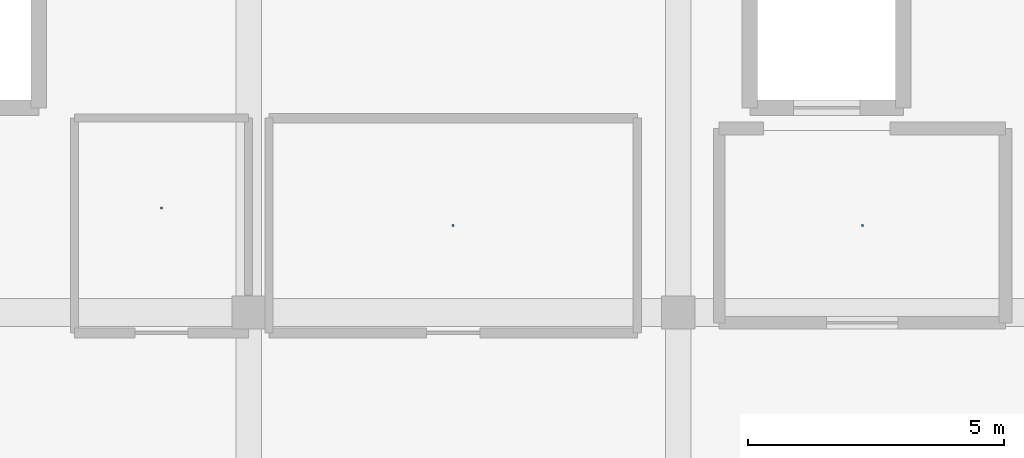
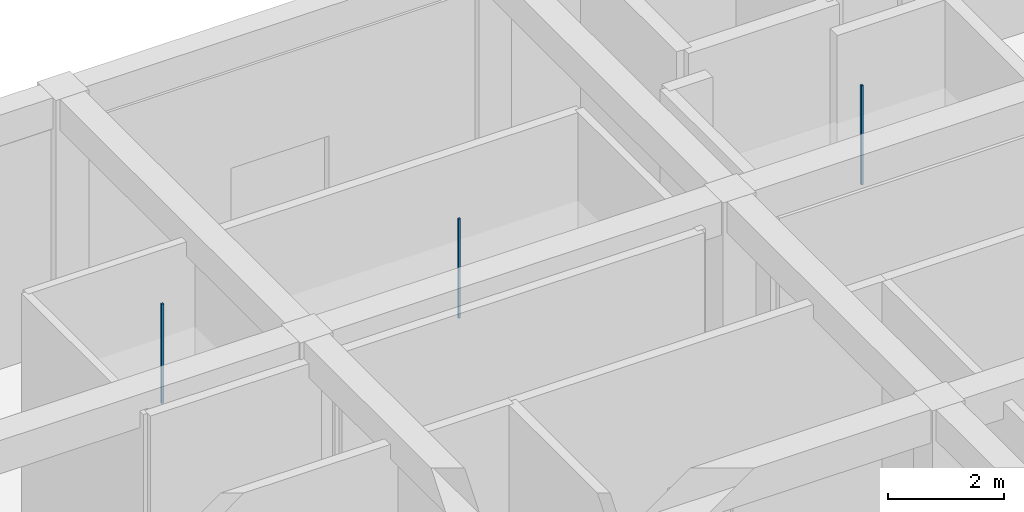
# One storey, part 118 of 157: 3 discrete accessories.
"""IFC4 building model written with IfcOpenShell, lengths in metres."""

from ifc_helpers import new_model, si_unit, direction, frame, origin, origin_2d, place, context, subcontext, project, spatial, rectangle, extrude, material, type_object, element, save


model = new_model("IFC4")

# Units and contexts
model_context = context("Model", 3, precision=1e-05, world=origin(), true_north=direction((0.0, 1.0)))
body_context = subcontext(model_context, "Body", "Model", "MODEL_VIEW")
ifc_project = project(units=[si_unit("LENGTHUNIT", "METRE"), si_unit("AREAUNIT", "SQUARE_METRE"), si_unit("VOLUMEUNIT", "CUBIC_METRE"), si_unit("PLANEANGLEUNIT", "RADIAN"), si_unit("MASSUNIT", "GRAM", prefix="KILO")], contexts=[model_context])

# Site, building, storey
site_placement = place(None, origin())
site = spatial("IfcSite", under=ifc_project, at=site_placement, CompositionType="ELEMENT")
building_placement = place(site_placement, origin())
building = spatial("IfcBuilding", under=site, at=building_placement, Name="Varncliffe General Hospital", CompositionType="ELEMENT")
storey_placement = place(building_placement, frame((0.0, 0.0, 5.39990234375)))
storey = spatial("IfcBuildingStorey", under=building, at=storey_placement, Name="L01", CompositionType="ELEMENT", Elevation=5.39990234375)

# Discrete accessories
ifc_material = material(Name="Powder-coated hospital steel guardrail and handrail", Category="steel")
discrete_accessory_type = type_object("IfcDiscreteAccessoryType", Name="Suspended Ceiling Hanger Bracket CH01", PredefinedType="BRACKET", material=ifc_material)
for number, where, z_axis, x_axis, name in (
    (1, (45.60009765625, 118.10009765625, 3.18994140625), (0.0, 0.0, 1.0), (1.0, 0.0, 0.0), "L01 Suspended Ceiling Hanger 112"),
    (2, (31.89990234375, 118.4423828125, 3.18994140625), (0.0, 0.0, 1.0), (1.0, 0.0, 0.0), "L01 Suspended Ceiling Hanger 120"),
    (3, (37.60009765625, 118.10009765625, 3.18994140625), (0.0, 0.0, 1.0), (1.0, 0.0, 0.0), "L01 Suspended Ceiling Hanger 121"),
):
    element("IfcDiscreteAccessory", number, at=place(storey_placement, frame(where, z_axis=z_axis, x_axis=x_axis)), inside=storey, type_object=discrete_accessory_type, Name=name, PredefinedType="BRACKET", context=body_context, shape_type="SweptSolid", body=[
        extrude(rectangle(XDim=0.0400390625, YDim=0.0400390625, at=origin_2d()), origin(), (0.0, 0.0, 1.0), 2.090087890625),
    ])

save(model, "model.ifc")
